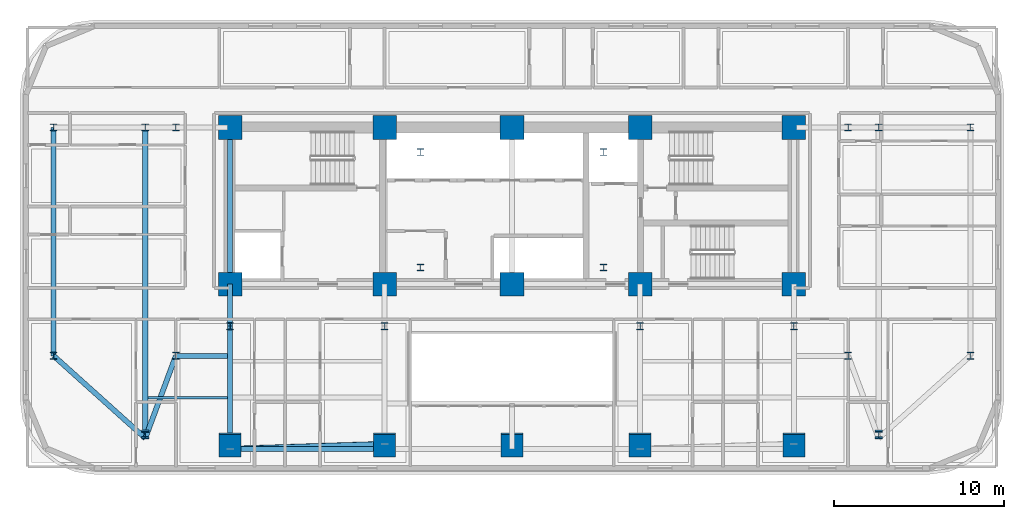
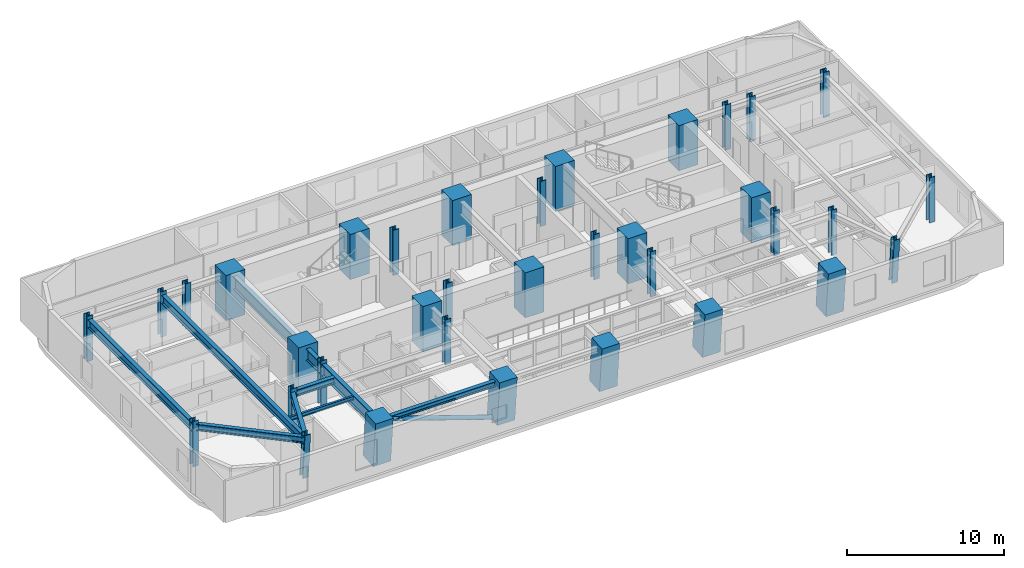
# One storey, part 1 of 16: 35 columns, 10 beams, 1 member.
"""IFC4 building model written with IfcOpenShell, lengths in metres."""

from ifc_helpers import new_model, si_unit, direction, frame, origin, origin_2d, place, context, subcontext, project, spatial, rectangle, hollow_circle, i_section, extrude, material, material_profile, profile_set, type_object, element, save


model = new_model("IFC4")

# Units and contexts
model_context = context("Model", 3, precision=1e-05, world=origin(), true_north=direction((0.0, 1.0)))
body_context = subcontext(model_context, "Body", "Model", "MODEL_VIEW")
ifc_project = project(units=[si_unit("LENGTHUNIT", "METRE"), si_unit("AREAUNIT", "SQUARE_METRE"), si_unit("VOLUMEUNIT", "CUBIC_METRE"), si_unit("PLANEANGLEUNIT", "RADIAN"), si_unit("MASSUNIT", "GRAM", prefix="KILO")], contexts=[model_context])

# Site, building, storey
site_placement = place(None, origin())
site = spatial("IfcSite", under=ifc_project, at=site_placement, CompositionType="ELEMENT")
building_placement = place(site_placement, origin())
building = spatial("IfcBuilding", under=site, at=building_placement, Name="Zarnavel Station Tower", CompositionType="ELEMENT")
storey_placement = place(building_placement, frame((0.0, 0.0, 86.300048828125)))
storey = spatial("IfcBuildingStorey", under=building, at=storey_placement, Name="L23", CompositionType="ELEMENT", Elevation=86.300048828125)

# Columns
ifc_material_1 = material(Name="Steel S460M", Category="steel")
ifc_material_profile_1 = material_profile(ifc_material_1, i_section(OverallWidth=0.41796875, OverallDepth=0.431884765625, WebThickness=0.034912109375, FlangeThickness=0.055908203125, FilletRadius=0.014892578125, at=origin_2d()), Name="HD400x421")
ifc_profile_set_1 = profile_set([ifc_material_profile_1], Name="Steel S460M")
column_type_1 = type_object("IfcColumnType", Name="EC_HD421", PredefinedType="COLUMN", material=ifc_profile_set_1)
for number, where, z_axis, x_axis, name in (
    (1, (1.800048828125, 23.60009765625, 0.0), (0.0, 0.0, 1.0), (1.0, 0.0, 0.0), "L23 Outer Wing South Column 1"),
    (2, (1.800048828125, 37.050048828125, 0.0), (0.0, 0.0, 1.0), (1.0, 0.0, 0.0), "L23 Outer Wing North Column 1"),
):
    element("IfcColumn", number, at=place(storey_placement, frame(where, z_axis=z_axis, x_axis=x_axis)), inside=storey, type_object=column_type_1, Name=name, PredefinedType="COLUMN", context=body_context, shape_type="SweptSolid", body=[
        extrude(i_section(OverallWidth=0.41796875, OverallDepth=0.431884765625, WebThickness=0.034912109375, FlangeThickness=0.055908203125, FilletRadius=0.014892578125, at=origin_2d()), origin(), (0.0, 0.0, 1.0), 3.5),
    ])
for number, where, z_axis, x_axis, name in (
    (3, (7.199951171875, 19.007568359375, 0.0), (0.0, -0.079960777917, 0.996798010629), (1.0, 0.0, 0.0), "L23 Raked Wing Column 2"),
    (4, (50.39990234375, 19.007568359375, 0.0), (0.0, -0.079960777917, 0.996798010629), (1.0, 0.0, 0.0), "L23 Raked Wing Column 3"),
):
    element("IfcColumn", number, at=place(storey_placement, frame(where, z_axis=z_axis, x_axis=x_axis)), inside=storey, type_object=column_type_1, Name=name, PredefinedType="COLUMN", context=body_context, shape_type="SweptSolid", body=[
        extrude(i_section(OverallWidth=0.41796875, OverallDepth=0.431884765625, WebThickness=0.034912109375, FlangeThickness=0.055908203125, FilletRadius=0.014892578125, at=origin_2d()), origin(), (0.0, 0.0, 1.0), 3.51123046875),
    ])
for number, where, z_axis, x_axis, name in (
    (5, (55.800048828125, 23.60009765625, 0.0), (0.0, 0.0, 1.0), (1.0, 0.0, 0.0), "L23 Outer Wing South Column 4"),
    (6, (55.800048828125, 37.050048828125, 0.0), (0.0, 0.0, 1.0), (1.0, 0.0, 0.0), "L23 Outer Wing North Column 4"),
):
    element("IfcColumn", number, at=place(storey_placement, frame(where, z_axis=z_axis, x_axis=x_axis)), inside=storey, type_object=column_type_1, Name=name, PredefinedType="COLUMN", context=body_context, shape_type="SweptSolid", body=[
        extrude(i_section(OverallWidth=0.41796875, OverallDepth=0.431884765625, WebThickness=0.034912109375, FlangeThickness=0.055908203125, FilletRadius=0.014892578125, at=origin_2d()), origin(), (0.0, 0.0, 1.0), 3.5),
    ])
ifc_material_2 = material(Name="Steel S460M", Category="steel")
ifc_material_profile_2 = material_profile(ifc_material_2, i_section(OverallWidth=0.41796875, OverallDepth=0.431884765625, WebThickness=0.034912109375, FlangeThickness=0.055908203125, FilletRadius=0.014892578125, at=origin_2d()), Name="HD400x421")
ifc_profile_set_2 = profile_set([ifc_material_profile_2], Name="Steel S460M")
column_type_2 = type_object("IfcColumnType", Name="IC_HD421", PredefinedType="COLUMN", material=ifc_profile_set_2)
for number, where, z_axis, x_axis, name in (
    (7, (23.39990234375, 28.800048828125, 0.0), (0.0, 0.0, 1.0), (1.0, 0.0, 0.0), "L23 Mast Spine Column 1"),
    (8, (34.199951171875, 28.800048828125, 0.0), (0.0, 0.0, 1.0), (1.0, 0.0, 0.0), "L23 Mast Spine Column 2"),
    (9, (34.199951171875, 35.60009765625, 0.0), (0.0, 0.0, 1.0), (1.0, 0.0, 0.0), "L23 Mast Spine Column 3"),
    (10, (23.39990234375, 35.60009765625, 0.0), (0.0, 0.0, 1.0), (1.0, 0.0, 0.0), "L23 Mast Spine Column 4"),
    (11, (12.199951171875, 25.35009765625, 0.0), (0.0, 0.0, 1.0), (1.0, 0.0, 0.0), "L23 Inner Spine Column 1"),
    (12, (21.300048828125, 25.35009765625, 0.0), (0.0, 0.0, 1.0), (1.0, 0.0, 0.0), "L23 Inner Spine Column 2"),
    (13, (36.35009765625, 25.35009765625, 0.0), (0.0, 0.0, 1.0), (1.0, 0.0, 0.0), "L23 Inner Spine Column 4"),
    (14, (45.39990234375, 25.35009765625, 0.0), (0.0, 0.0, 1.0), (1.0, 0.0, 0.0), "L23 Inner Spine Column 5"),
    (15, (9.0, 23.60009765625, 0.0), (0.0, 0.0, 1.0), (1.0, 0.0, 0.0), "L23 Inner Wing Spine Column 1-1"),
    (16, (9.0, 37.050048828125, 0.0), (0.0, 0.0, 1.0), (1.0, 0.0, 0.0), "L23 Inner Wing Spine Column 1-2"),
    (17, (48.60009765625, 23.60009765625, 0.0), (0.0, 0.0, 1.0), (1.0, 0.0, 0.0), "L23 Inner Wing Spine Column 2-1"),
    (18, (48.60009765625, 37.050048828125, 0.0), (0.0, 0.0, 1.0), (1.0, 0.0, 0.0), "L23 Inner Wing Spine Column 2-2"),
    (19, (7.199951171875, 37.050048828125, 0.0), (0.0, 0.0, 1.0), (1.0, 0.0, 0.0), "L23 Outer Wing North Column 2"),
    (20, (50.39990234375, 37.050048828125, 0.0), (0.0, 0.0, 1.0), (1.0, 0.0, 0.0), "L23 Outer Wing North Column 3"),
):
    element("IfcColumn", number, at=place(storey_placement, frame(where, z_axis=z_axis, x_axis=x_axis)), inside=storey, type_object=column_type_2, Name=name, PredefinedType="COLUMN", context=body_context, shape_type="SweptSolid", body=[
        extrude(i_section(OverallWidth=0.41796875, OverallDepth=0.431884765625, WebThickness=0.034912109375, FlangeThickness=0.055908203125, FilletRadius=0.014892578125, at=origin_2d()), origin(), (0.0, 0.0, 1.0), 3.5),
    ])
ifc_material_3 = material(Name="Concrete C60/75", Category="concrete")
ifc_material_profile_3 = material_profile(ifc_material_3, rectangle(XDim=1.39990234375, YDim=1.39990234375, at=origin_2d()), Name="RC1400x1400")
ifc_profile_set_3 = profile_set([ifc_material_profile_3], Name="Concrete C60/75")
column_type_3 = type_object("IfcColumnType", Name="IC_RC1400", PredefinedType="COLUMN", material=ifc_profile_set_3)
for number, where, z_axis, x_axis, name in (
    (21, (12.199951171875, 27.820068359375, 0.0), (0.0, 0.0, 1.0), (1.0, 0.0, 0.0), "L23 Core Spine Column 1-1"),
    (22, (12.199951171875, 37.050048828125, 0.0), (0.0, 0.0, 1.0), (1.0, 0.0, 0.0), "L23 Core Spine Column 1-2"),
    (23, (21.300048828125, 27.820068359375, 0.0), (0.0, 0.0, 1.0), (1.0, 0.0, 0.0), "L23 Core Spine Column 2-1"),
    (24, (21.300048828125, 37.050048828125, 0.0), (0.0, 0.0, 1.0), (1.0, 0.0, 0.0), "L23 Core Spine Column 2-2"),
    (25, (28.800048828125, 27.820068359375, 0.0), (0.0, 0.0, 1.0), (1.0, 0.0, 0.0), "L23 Core Spine Column 3-1"),
    (26, (28.800048828125, 37.050048828125, 0.0), (0.0, 0.0, 1.0), (1.0, 0.0, 0.0), "L23 Core Spine Column 3-2"),
    (27, (36.35009765625, 27.820068359375, 0.0), (0.0, 0.0, 1.0), (1.0, 0.0, 0.0), "L23 Core Spine Column 4-1"),
    (28, (36.35009765625, 37.050048828125, 0.0), (0.0, 0.0, 1.0), (1.0, 0.0, 0.0), "L23 Core Spine Column 4-2"),
    (29, (45.39990234375, 27.820068359375, 0.0), (0.0, 0.0, 1.0), (1.0, 0.0, 0.0), "L23 Core Spine Column 5-1"),
    (30, (45.39990234375, 37.050048828125, 0.0), (0.0, 0.0, 1.0), (1.0, 0.0, 0.0), "L23 Core Spine Column 5-2"),
):
    element("IfcColumn", number, at=place(storey_placement, frame(where, z_axis=z_axis, x_axis=x_axis)), inside=storey, type_object=column_type_3, Name=name, PredefinedType="COLUMN", context=body_context, shape_type="SweptSolid", body=[
        extrude(rectangle(XDim=1.39990234375, YDim=1.39990234375, at=origin_2d()), origin(), (0.0, 0.0, 1.0), 3.5),
    ])
ifc_material_4 = material(Name="Concrete C60/75", Category="concrete")
ifc_material_profile_4 = material_profile(ifc_material_4, rectangle(XDim=1.300048828125, YDim=1.300048828125, at=origin_2d()), Name="RC1300x1300")
ifc_profile_set_4 = profile_set([ifc_material_profile_4], Name="Concrete C60/75")
column_type_4 = type_object("IfcColumnType", Name="MC_RC1300", PredefinedType="COLUMN", material=ifc_profile_set_4)
for number, where, z_axis, x_axis, name in (
    (31, (12.199951171875, 18.407470703125, 0.0), (0.0, -0.090241349316, 0.995919925935), (1.0, 0.0, 0.0), "L23 Raked South Mega-Column 1"),
    (32, (21.300048828125, 18.407470703125, 0.0), (0.0, -0.090241349316, 0.995919925935), (1.0, 0.0, 0.0), "L23 Raked South Mega-Column 2"),
    (33, (28.800048828125, 18.407470703125, 0.0), (0.0, -0.090241349316, 0.995919925935), (1.0, 0.0, 0.0), "L23 Raked South Mega-Column 3"),
    (34, (36.35009765625, 18.407470703125, 0.0), (0.0, -0.090241349316, 0.995919925935), (1.0, 0.0, 0.0), "L23 Raked South Mega-Column 4"),
    (35, (45.39990234375, 18.407470703125, 0.0), (0.0, -0.090241349316, 0.995919925935), (1.0, 0.0, 0.0), "L23 Raked South Mega-Column 5"),
):
    element("IfcColumn", number, at=place(storey_placement, frame(where, z_axis=z_axis, x_axis=x_axis)), inside=storey, type_object=column_type_4, Name=name, PredefinedType="COLUMN", context=body_context, shape_type="SweptSolid", body=[
        extrude(rectangle(XDim=1.300048828125, YDim=1.300048828125, at=origin_2d()), origin(), (0.0, 0.0, 1.0), 3.514404296875),
    ])

# Member
ifc_material_5 = material(Name="Steel S355J2", Category="steel")
ifc_material_profile_5 = material_profile(ifc_material_5, hollow_circle(Radius=0.161865234375, WallThickness=0.012451171875, at=origin_2d()), Name="CHS323.9x12.5")
ifc_profile_set_5 = profile_set([ifc_material_profile_5], Name="Steel S355J2")
member_type = type_object("IfcMemberType", Name="DB_EXT_CHS324", PredefinedType="BRACE", material=ifc_profile_set_5)
member_placement = place(storey_placement, frame((21.300048828125, 18.407470703125, 0.0), z_axis=(-0.941636397979, -0.030365588624, 0.335259339958), x_axis=(0.032230925026, -0.999480448769, 0.0)))
element("IfcMember", 36, at=member_placement, inside=storey, type_object=member_type, Name="L23 Persian Exterior Diagonal Frame Brace 1", PredefinedType="BRACE", context=body_context, shape_type="SweptSolid", body=[
    extrude(hollow_circle(Radius=0.161865234375, WallThickness=0.012451171875, at=origin_2d()), origin(), (0.0, 0.0, 1.0), 9.6640625),
])

# Beams
ifc_material_6 = material(Name="Steel S355J2", Category="steel")
ifc_material_profile_6 = material_profile(ifc_material_6, i_section(OverallWidth=0.300048828125, OverallDepth=0.39990234375, WebThickness=0.013427734375, FlangeThickness=0.02392578125, FilletRadius=0.027099609375, at=origin_2d()), Name="HEB400")
ifc_profile_set_6 = profile_set([ifc_material_profile_6], Name="Steel S355J2")
beam_type_1 = type_object("IfcBeamType", Name="EB_HEB400", PredefinedType="SPANDREL", material=ifc_profile_set_6)
beam_1_placement = place(storey_placement, frame((12.199951171875, 18.114013671875, 3.0400390625), z_axis=(1.0, 0.0, 0.0), x_axis=(0.0, 1.0, 0.0)))
element("IfcBeam", 37, at=beam_1_placement, inside=storey, type_object=beam_type_1, Name="L23 South Raked Spandrel 1", PredefinedType="SPANDREL", context=body_context, shape_type="SweptSolid", body=[
    extrude(i_section(OverallWidth=0.300048828125, OverallDepth=0.39990234375, WebThickness=0.013427734375, FlangeThickness=0.02392578125, FilletRadius=0.027099609375, at=origin_2d()), origin(), (0.0, 0.0, 1.0), 9.10009765625),
])
ifc_material_7 = material(Name="Steel S355J2", Category="steel")
ifc_material_profile_7 = material_profile(ifc_material_7, i_section(OverallWidth=0.300048828125, OverallDepth=0.5, WebThickness=0.014404296875, FlangeThickness=0.028076171875, FilletRadius=0.027099609375, at=origin_2d()), Name="HEB500")
ifc_profile_set_7 = profile_set([ifc_material_profile_7], Name="Steel S355J2")
beam_type_2 = type_object("IfcBeamType", Name="FG_HEB500", PredefinedType="USERDEFINED", material=ifc_profile_set_7)
beam_2_placement = place(storey_placement, frame((1.800048828125, 23.60009765625, 2.989990234375), z_axis=(0.743815640795, -0.668384838629, 0.0), x_axis=(0.668384838629, 0.743815640795, 0.0)))
element("IfcBeam", 38, at=beam_2_placement, inside=storey, type_object=beam_type_2, Name="L23 West Wing South Tie 1", ObjectType="GIRDER", PredefinedType="USERDEFINED", context=body_context, shape_type="SweptSolid", body=[
    extrude(i_section(OverallWidth=0.300048828125, OverallDepth=0.5, WebThickness=0.014404296875, FlangeThickness=0.028076171875, FilletRadius=0.027099609375, at=origin_2d()), origin(), (0.0, 0.0, 1.0), 7.259765625),
])
beam_3_placement = place(storey_placement, frame((7.199951171875, 18.747802734375, 2.989990234375), z_axis=(0.347807491775, 0.9375659703, 0.0), x_axis=(-0.9375659703, 0.347807491775, 0.0)))
element("IfcBeam", 39, at=beam_3_placement, inside=storey, type_object=beam_type_2, Name="L23 West Wing South Tie 2", ObjectType="GIRDER", PredefinedType="USERDEFINED", context=body_context, shape_type="SweptSolid", body=[
    extrude(i_section(OverallWidth=0.300048828125, OverallDepth=0.5, WebThickness=0.014404296875, FlangeThickness=0.028076171875, FilletRadius=0.027099609375, at=origin_2d()), origin(), (0.0, 0.0, 1.0), 5.175537109375),
])
beam_4_placement = place(storey_placement, frame((9.0, 23.60009765625, 2.989990234375), z_axis=(1.0, 0.0, 0.0), x_axis=(0.0, 1.0, 0.0)))
element("IfcBeam", 40, at=beam_4_placement, inside=storey, type_object=beam_type_2, Name="L23 West Wing South Tie 3", ObjectType="GIRDER", PredefinedType="USERDEFINED", context=body_context, shape_type="SweptSolid", body=[
    extrude(i_section(OverallWidth=0.300048828125, OverallDepth=0.5, WebThickness=0.014404296875, FlangeThickness=0.028076171875, FilletRadius=0.027099609375, at=origin_2d()), origin(), (0.0, 0.0, 1.0), 3.054931640625),
])
ifc_material_8 = material(Name="Steel S355J2", Category="steel")
ifc_material_profile_8 = material_profile(ifc_material_8, i_section(OverallWidth=0.300048828125, OverallDepth=0.64990234375, WebThickness=0.01611328125, FlangeThickness=0.031005859375, FilletRadius=0.027099609375, at=origin_2d()), Name="HEB650")
ifc_profile_set_8 = profile_set([ifc_material_profile_8], Name="Steel S355J2")
beam_type_3 = type_object("IfcBeamType", Name="FG_HEB650", PredefinedType="USERDEFINED", material=ifc_profile_set_8)
beam_5_placement = place(storey_placement, frame((1.800048828125, 23.60009765625, 2.9150390625), z_axis=(0.0, 1.0, 0.0), x_axis=(-1.0, 0.0, 0.0)))
element("IfcBeam", 41, at=beam_5_placement, inside=storey, type_object=beam_type_3, Name="L23 Wing NS Girder 1", ObjectType="GIRDER", PredefinedType="USERDEFINED", context=body_context, shape_type="SweptSolid", body=[
    extrude(i_section(OverallWidth=0.300048828125, OverallDepth=0.64990234375, WebThickness=0.01611328125, FlangeThickness=0.031005859375, FilletRadius=0.027099609375, at=origin_2d()), origin(), (0.0, 0.0, 1.0), 13.449951171875),
])
beam_6_placement = place(storey_placement, frame((7.199951171875, 18.747802734375, 2.9150390625), z_axis=(0.0, 1.0, 0.0), x_axis=(-1.0, 0.0, 0.0)))
element("IfcBeam", 42, at=beam_6_placement, inside=storey, type_object=beam_type_3, Name="L23 Wing NS Girder 2", ObjectType="GIRDER", PredefinedType="USERDEFINED", context=body_context, shape_type="SweptSolid", body=[
    extrude(i_section(OverallWidth=0.300048828125, OverallDepth=0.64990234375, WebThickness=0.01611328125, FlangeThickness=0.031005859375, FilletRadius=0.027099609375, at=origin_2d()), origin(), (0.0, 0.0, 1.0), 18.30224609375),
])
ifc_material_9 = material(Name="Steel S355J2", Category="steel")
ifc_material_profile_9 = material_profile(ifc_material_9, i_section(OverallWidth=0.14990234375, OverallDepth=0.300048828125, WebThickness=0.007080078125, FlangeThickness=0.0107421875, FilletRadius=0.014892578125, at=origin_2d()), Name="IPE300")
ifc_profile_set_9 = profile_set([ifc_material_profile_9], Name="Steel S355J2")
beam_type_4 = type_object("IfcBeamType", Name="FJ_IPE300", PredefinedType="JOIST", material=ifc_profile_set_9)
beam_7_placement = place(storey_placement, frame((7.344970703125, 21.142578125, 3.08984375), z_axis=(1.0, 0.0, 0.0), x_axis=(0.0, 1.0, 0.0)))
element("IfcBeam", 43, at=beam_7_placement, inside=storey, type_object=beam_type_4, Name="L23 West Wing Joist 1", PredefinedType="JOIST", context=body_context, shape_type="SweptSolid", body=[
    extrude(i_section(OverallWidth=0.14990234375, OverallDepth=0.300048828125, WebThickness=0.007080078125, FlangeThickness=0.0107421875, FilletRadius=0.014892578125, at=origin_2d()), origin(), (0.0, 0.0, 1.0), 4.7099609375),
])
ifc_material_10 = material(Name="Steel S460M", Category="steel")
ifc_material_profile_10 = material_profile(ifc_material_10, i_section(OverallWidth=0.302001953125, OverallDepth=1.008056640625, WebThickness=0.02099609375, FlangeThickness=0.0400390625, FilletRadius=0.030029296875, at=origin_2d()), Name="HEM1000")
ifc_profile_set_10 = profile_set([ifc_material_profile_10], Name="Steel S460M")
beam_type_5 = type_object("IfcBeamType", Name="TG_HEM1000", PredefinedType="USERDEFINED", material=ifc_profile_set_10)
beam_8_placement = place(storey_placement, frame((12.199951171875, 27.820068359375, 2.73583984375), z_axis=(0.0, 1.0, 0.0), x_axis=(-1.0, 0.0, 0.0)))
element("IfcBeam", 44, at=beam_8_placement, inside=storey, type_object=beam_type_5, Name="L23 Core Spine Coupling Girder 1", ObjectType="GIRDER", PredefinedType="USERDEFINED", context=body_context, shape_type="SweptSolid", body=[
    extrude(i_section(OverallWidth=0.302001953125, OverallDepth=1.008056640625, WebThickness=0.02099609375, FlangeThickness=0.0400390625, FilletRadius=0.030029296875, at=origin_2d()), origin(), (0.0, 0.0, 1.0), 9.22998046875),
])
ifc_material_11 = material(Name="Steel S460M", Category="steel")
ifc_material_profile_11 = material_profile(ifc_material_11, i_section(OverallWidth=0.302001953125, OverallDepth=0.909912109375, WebThickness=0.02099609375, FlangeThickness=0.0400390625, FilletRadius=0.030029296875, at=origin_2d()), Name="HEM900")
ifc_profile_set_11 = profile_set([ifc_material_profile_11], Name="Steel S460M")
beam_type_6 = type_object("IfcBeamType", Name="TG_HEM900", PredefinedType="USERDEFINED", material=ifc_profile_set_11)
beam_9_placement = place(storey_placement, frame((12.199951171875, 18.114013671875, 2.784912109375), z_axis=(0.0, 1.0, 0.0), x_axis=(-1.0, 0.0, 0.0)))
element("IfcBeam", 45, at=beam_9_placement, inside=storey, type_object=beam_type_6, Name="L23 South-Zone NS Girder 1", ObjectType="GIRDER", PredefinedType="USERDEFINED", context=body_context, shape_type="SweptSolid", body=[
    extrude(i_section(OverallWidth=0.302001953125, OverallDepth=0.909912109375, WebThickness=0.02099609375, FlangeThickness=0.0400390625, FilletRadius=0.030029296875, at=origin_2d()), origin(), (0.0, 0.0, 1.0), 7.236083984375),
])
beam_10_placement = place(storey_placement, frame((12.199951171875, 25.35009765625, 2.784912109375), z_axis=(0.0, 1.0, 0.0), x_axis=(-1.0, 0.0, 0.0)))
element("IfcBeam", 46, at=beam_10_placement, inside=storey, type_object=beam_type_6, Name="L23 Inner-Zone NS Girder 1", ObjectType="GIRDER", PredefinedType="USERDEFINED", context=body_context, shape_type="SweptSolid", body=[
    extrude(i_section(OverallWidth=0.302001953125, OverallDepth=0.909912109375, WebThickness=0.02099609375, FlangeThickness=0.0400390625, FilletRadius=0.030029296875, at=origin_2d()), origin(), (0.0, 0.0, 1.0), 2.469970703125),
])

save(model, "model.ifc")
